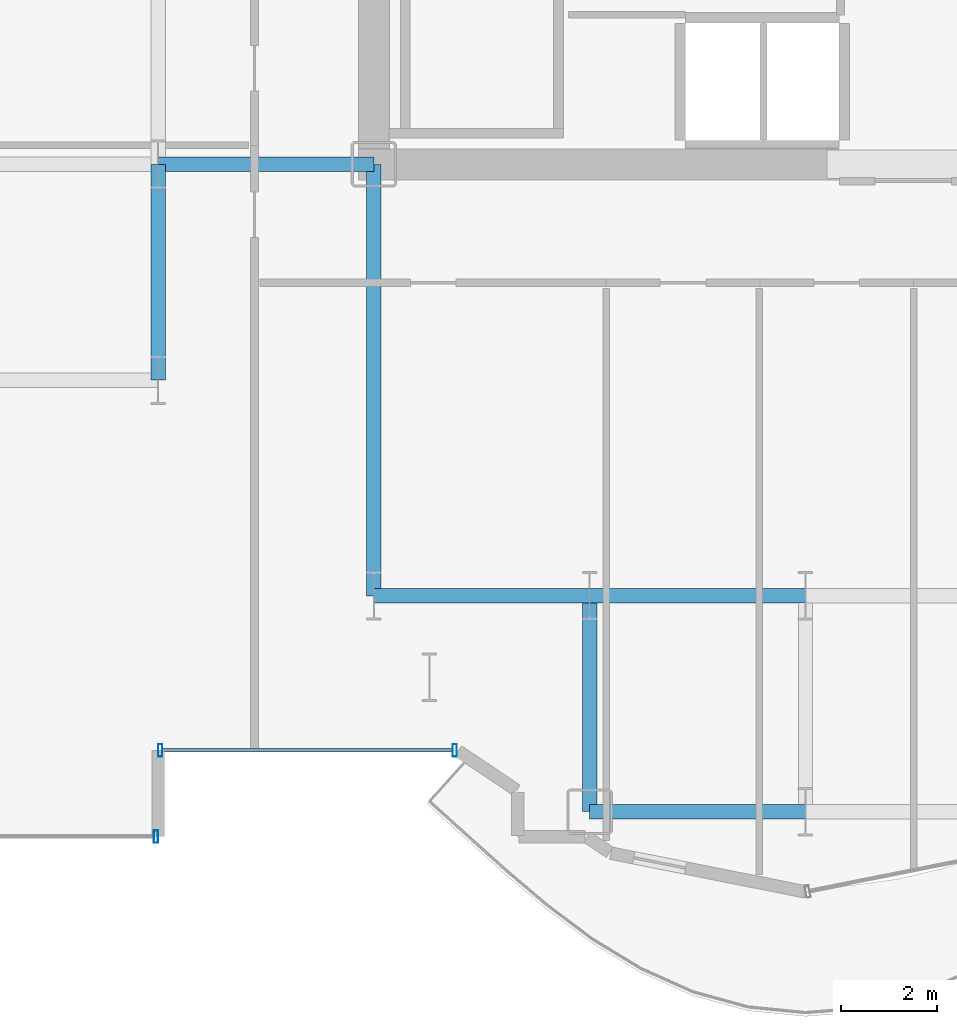
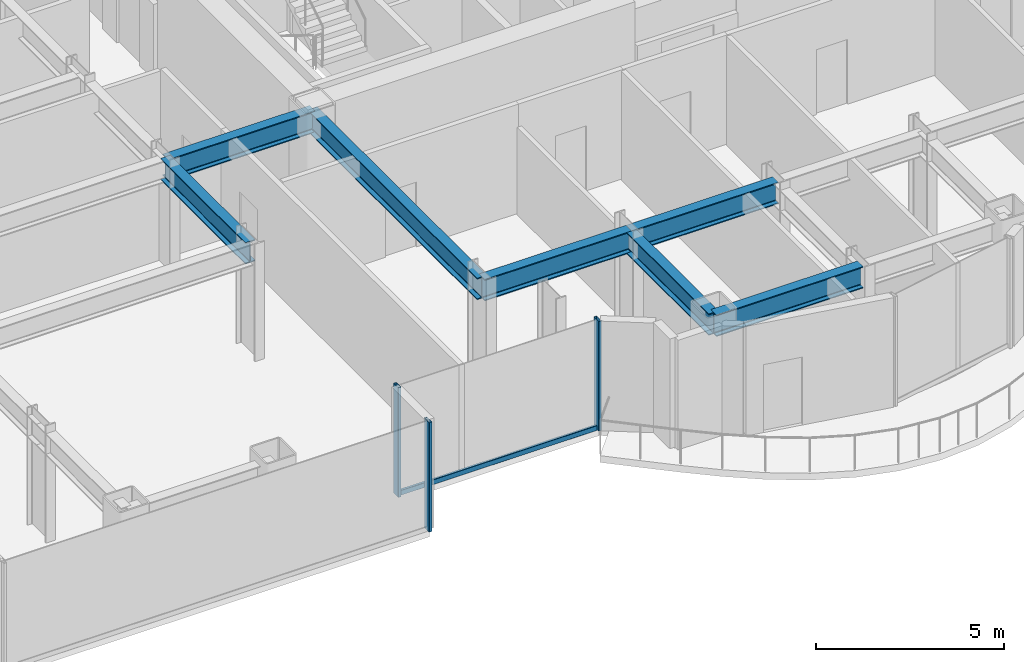
# One storey, part 4 of 29: 7 beams, 4 members, 2 elements without a shape of their own.
"""IFC4 building model written with IfcOpenShell, lengths in metres."""

from ifc_helpers import new_model, si_unit, direction, frame, origin, origin_2d, place, context, subcontext, project, spatial, hollow_rectangle, i_section, extrude, source, transform, mapped, material, layer, layer_set, material_profile, profile_set, type_object, element, aggregate, save


model = new_model("IFC4")

# Units and contexts
model_context = context("Model", 3, precision=1e-05, world=origin(), true_north=direction((0.0, 1.0)))
body_context = subcontext(model_context, "Body", "Model", "MODEL_VIEW")
ifc_project = project(units=[si_unit("LENGTHUNIT", "METRE"), si_unit("AREAUNIT", "SQUARE_METRE"), si_unit("VOLUMEUNIT", "CUBIC_METRE"), si_unit("PLANEANGLEUNIT", "RADIAN"), si_unit("MASSUNIT", "GRAM", prefix="KILO")], contexts=[model_context])

# Site, building, storey
site_placement = place(None, origin())
site = spatial("IfcSite", under=ifc_project, at=site_placement, CompositionType="ELEMENT")
building_placement = place(site_placement, origin())
building = spatial("IfcBuilding", under=site, at=building_placement, Name="Nefas-Gora Pilgrimage Tower", CompositionType="ELEMENT")
storey_placement = place(building_placement, frame((0.0, 0.0, 67.199951171875)))
storey = spatial("IfcBuildingStorey", under=building, at=storey_placement, Name="L15", CompositionType="ELEMENT", Elevation=67.199951171875)

# Beams
ifc_material_1 = material(Name="Steel S355", Category="steel")
ifc_material_profile_1 = material_profile(ifc_material_1, i_section(OverallWidth=0.300048828125, OverallDepth=0.699951171875, WebThickness=0.01708984375, FlangeThickness=0.031982421875, FilletRadius=0.027099609375, at=origin_2d()), Name="HEB 700")
ifc_profile_set_1 = profile_set([ifc_material_profile_1], Name="Steel S355")
beam_type = type_object("IfcBeamType", Name="BM-GIR-HEB700", PredefinedType="BEAM", material=ifc_profile_set_1)
shared_shape_1 = source(origin(), body_context, "Body", "SweptSolid", [
    extrude(i_section(OverallWidth=0.300048828125, OverallDepth=0.699951171875, WebThickness=0.01708984375, FlangeThickness=0.031982421875, FilletRadius=0.027099609375, at=origin_2d()), origin(), (0.0, 0.0, 1.0), 9.0),
])
beam_placement = place(storey_placement, frame((-11.25, -18.0, 3.199951171875), z_axis=(0.0, 1.0, 0.0), x_axis=(-1.0, 0.0, 0.0)))
element("IfcBeam", 1, at=beam_placement, inside=storey, type_object=beam_type, Name="L15 G-02 beam", PredefinedType="BEAM", context=body_context, shape_type="MappedRepresentation", body=[
    mapped(shared_shape_1, transform((0.0, 0.0, 0.0), x_axis=(1.0, 0.0, 0.0), y_axis=(0.0, 1.0, 0.0), z_axis=(0.0, 0.0, 1.0), scale=1.0)),
])
shared_shape_2 = source(origin(), body_context, "Body", "SweptSolid", [
    extrude(i_section(OverallWidth=0.300048828125, OverallDepth=0.699951171875, WebThickness=0.01708984375, FlangeThickness=0.031982421875, FilletRadius=0.027099609375, at=origin_2d()), origin(), (0.0, 0.0, 1.0), 4.5),
])
for number, where, z_axis, x_axis, name in (
    (2, (-15.75, -13.5, 3.199951171875), (0.0, 1.0, 0.0), (-1.0, 0.0, 0.0), "L15 G-02 beam"),
    (3, (-15.75, -9.0, 3.199951171875), (1.0, 0.0, 0.0), (0.0, 1.0, 0.0), "L15 G-02 beam"),
    (4, (-11.25, -18.0, 3.199951171875), (1.0, 0.0, 0.0), (0.0, 1.0, 0.0), "L15 G-02 beam"),
    (5, (-6.75, -22.5, 3.199951171875), (0.0, 1.0, 0.0), (-1.0, 0.0, 0.0), "L15 G-02 beam"),
    (6, (-6.75, -22.5, 3.199951171875), (1.0, 0.0, 0.0), (0.0, 1.0, 0.0), "L15 G-02 beam"),
    (7, (-6.75, -18.0, 3.199951171875), (1.0, 0.0, 0.0), (0.0, 1.0, 0.0), "L15 G-02 beam"),
):
    element("IfcBeam", number, at=place(storey_placement, frame(where, z_axis=z_axis, x_axis=x_axis)), inside=storey, type_object=beam_type, Name=name, PredefinedType="BEAM", context=body_context, shape_type="MappedRepresentation", body=[
        mapped(shared_shape_2, transform((0.0, 0.0, 0.0), x_axis=(1.0, 0.0, 0.0), y_axis=(0.0, 1.0, 0.0), z_axis=(0.0, 0.0, 1.0), scale=1.0)),
    ])

# Curtain wall, members
ifc_material_2 = material(Name="Dark ceramic-fritted solar-control aluminium-glass curtain wall", Category="aluminium")
ifc_layer_1 = layer(ifc_material_2, 0.219970703125)
ifc_layer_set_1 = layer_set([ifc_layer_1], Name="Dark ceramic-fritted solar-control aluminium-glass curtain wall")
curtain_wall_type_1 = type_object("IfcCurtainWallType", Name="CW-SYS-5", PredefinedType="NOTDEFINED", material=ifc_layer_set_1)
curtain_wall_1_placement = place(storey_placement, origin())
curtain_wall_1 = element("IfcCurtainWall", 8, at=curtain_wall_1_placement, inside=storey, type_object=curtain_wall_type_1, Name="L15 Unitised Curtain Wall CW5", PredefinedType="NOTDEFINED")
ifc_material_3 = material(Name="Anodised architectural aluminium", Category="aluminium")
ifc_material_profile_2 = material_profile(ifc_material_3, hollow_rectangle(XDim=0.090087890625, YDim=0.260009765625, WallThickness=0.006103515625, InnerFilletRadius=0.006103515625, OuterFilletRadius=0.011962890625, at=origin_2d()), Name="ALU MULLION 90x260")
ifc_profile_set_2 = profile_set([ifc_material_profile_2], Name="Anodised architectural aluminium")
member_type_1 = type_object("IfcMemberType", Name="CWM-MUL-5", PredefinedType="MULLION", material=ifc_profile_set_2)
shared_shape_3 = source(origin(), body_context, "Body", "SweptSolid", [
    extrude(hollow_rectangle(XDim=0.090087890625, YDim=0.260009765625, WallThickness=0.006103515625, InnerFilletRadius=0.006103515625, OuterFilletRadius=0.011962890625, at=origin_2d()), origin(), (0.0, 0.0, 1.0), 3.550048828125),
])
member_1_placement = place(storey_placement, frame((-15.705078125, -21.219970703125, 0.0), z_axis=(0.0, 0.0, 1.0), x_axis=(1.0, 0.0, 0.0)))
member_1 = element("IfcMember", 9, at=member_1_placement, type_object=member_type_1, Name="CW5 Mullion 1", PredefinedType="MULLION", context=body_context, shape_type="MappedRepresentation", body=[
    mapped(shared_shape_3, transform((0.0, 0.0, 0.0), x_axis=(1.0, 0.0, 0.0), y_axis=(0.0, 1.0, 0.0), z_axis=(0.0, 0.0, 1.0), scale=1.0)),
])
member_2_placement = place(storey_placement, frame((-9.56298828125, -21.219970703125, 0.0), z_axis=(0.0, 0.0, 1.0), x_axis=(1.0, 0.0, 0.0)))
member_2 = element("IfcMember", 10, at=member_2_placement, type_object=member_type_1, Name="CW5 Mullion 2", PredefinedType="MULLION", context=body_context, shape_type="MappedRepresentation", body=[
    mapped(shared_shape_3, transform((0.0, 0.0, 0.0), x_axis=(1.0, 0.0, 0.0), y_axis=(0.0, 1.0, 0.0), z_axis=(0.0, 0.0, 1.0), scale=1.0)),
])
ifc_material_profile_3 = material_profile(ifc_material_3, hollow_rectangle(XDim=0.080078125, YDim=0.159912109375, WallThickness=0.00439453125, InnerFilletRadius=0.00439453125, OuterFilletRadius=0.009033203125, at=origin_2d()), Name="ALU TRANSOM 80x160")
ifc_profile_set_3 = profile_set([ifc_material_profile_3], Name="Anodised architectural aluminium")
member_type_2 = type_object("IfcMemberType", Name="CWM-TRN-5", PredefinedType="USERDEFINED", material=ifc_profile_set_3)
shared_shape_4 = source(origin(), body_context, "Body", "SweptSolid", [
    extrude(hollow_rectangle(XDim=0.080078125, YDim=0.159912109375, WallThickness=0.00439453125, InnerFilletRadius=0.00439453125, OuterFilletRadius=0.009033203125, at=origin_2d()), origin(), (0.0, 0.0, 1.0), 6.052001953125),
])
member_3_placement = place(storey_placement, frame((-15.659912109375, -21.219970703125, 0.050048828125), z_axis=(1.0, 0.0, 0.0), x_axis=(0.0, 1.0, 0.0)))
member_3 = element("IfcMember", 11, at=member_3_placement, type_object=member_type_2, Name="CW5 Spandrel Transom", ObjectType="TRANSOM", PredefinedType="USERDEFINED", context=body_context, shape_type="MappedRepresentation", body=[
    mapped(shared_shape_4, transform((0.0, 0.0, 0.0), x_axis=(1.0, 0.0, 0.0), y_axis=(0.0, 1.0, 0.0), z_axis=(0.0, 0.0, 1.0), scale=1.0)),
])
aggregate(curtain_wall_1, [member_1, member_2, member_3])

# Curtain wall, member
ifc_layer_2 = layer(ifc_material_2, 0.219970703125)
ifc_layer_set_2 = layer_set([ifc_layer_2], Name="Dark ceramic-fritted solar-control aluminium-glass curtain wall")
curtain_wall_type_2 = type_object("IfcCurtainWallType", Name="CW-SYS-2", PredefinedType="NOTDEFINED", material=ifc_layer_set_2)
curtain_wall_2_placement = place(storey_placement, origin())
curtain_wall_2 = element("IfcCurtainWall", 12, at=curtain_wall_2_placement, inside=storey, type_object=curtain_wall_type_2, Name="L15 Unitised Curtain Wall CW2", PredefinedType="NOTDEFINED")
ifc_material_profile_4 = material_profile(ifc_material_3, hollow_rectangle(XDim=0.090087890625, YDim=0.260009765625, WallThickness=0.006103515625, InnerFilletRadius=0.006103515625, OuterFilletRadius=0.011962890625, at=origin_2d()), Name="ALU MULLION 90x260")
ifc_profile_set_4 = profile_set([ifc_material_profile_4], Name="Anodised architectural aluminium")
member_type_3 = type_object("IfcMemberType", Name="CWM-MUL-2", PredefinedType="MULLION", material=ifc_profile_set_4)
shared_shape_5 = source(origin(), body_context, "Body", "SweptSolid", [
    extrude(hollow_rectangle(XDim=0.090087890625, YDim=0.260009765625, WallThickness=0.006103515625, InnerFilletRadius=0.006103515625, OuterFilletRadius=0.011962890625, at=origin_2d()), origin(), (0.0, 0.0, 1.0), 3.550048828125),
])
member_4_placement = place(storey_placement, frame((-15.794921875, -23.02001953125, 0.0), z_axis=(0.0, 0.0, 1.0), x_axis=(1.0, 0.0, 0.0)))
member_4 = element("IfcMember", 13, at=member_4_placement, type_object=member_type_3, Name="CW2 Mullion 2", PredefinedType="MULLION", context=body_context, shape_type="MappedRepresentation", body=[
    mapped(shared_shape_5, transform((0.0, 0.0, 0.0), x_axis=(1.0, 0.0, 0.0), y_axis=(0.0, 1.0, 0.0), z_axis=(0.0, 0.0, 1.0), scale=1.0)),
])
aggregate(curtain_wall_2, [member_4])

save(model, "model.ifc")
